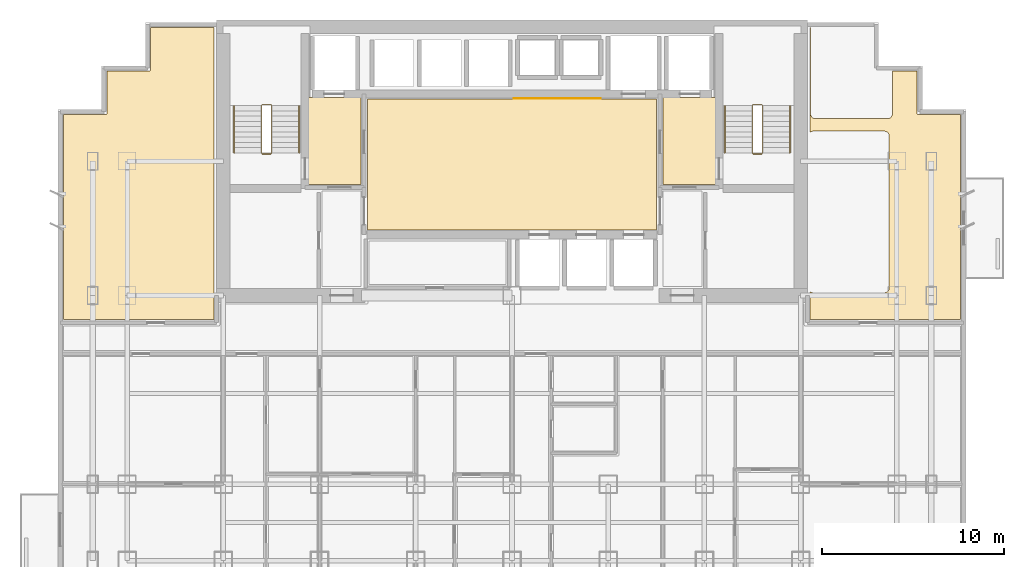
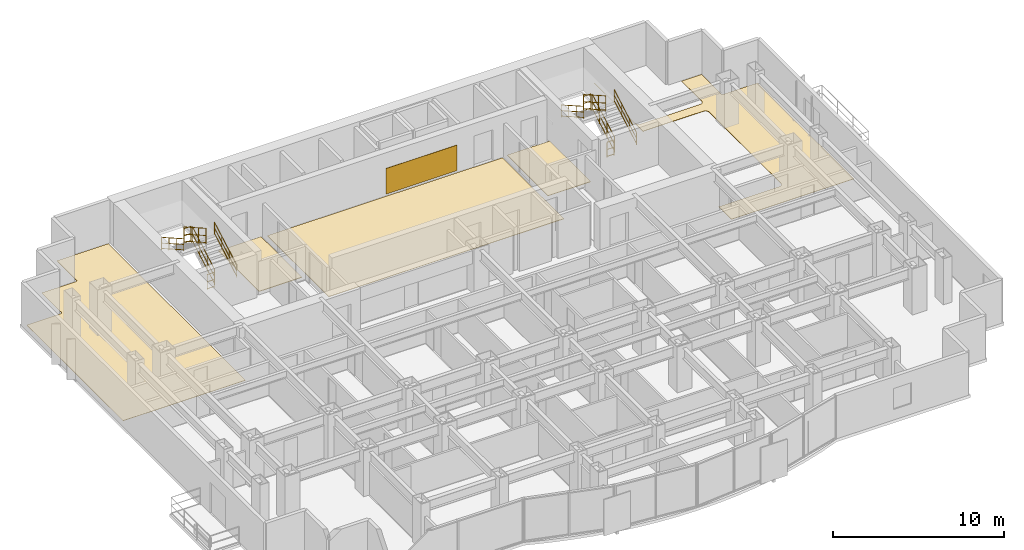
# One storey, part 10 of 10: 12 railings, 6 coverings.
"""IFC4 building model written with IfcOpenShell, lengths in metres."""

from ifc_helpers import new_model, si_unit, direction, frame, origin, origin_2d, place, context, subcontext, project, spatial, polyline, circle, outline, extrude, material, layer, layer_set, type_object, element, save


model = new_model("IFC4")

# Units and contexts
model_context = context("Model", 3, precision=1e-05, world=origin(), true_north=direction((0.0, 1.0)))
body_context = subcontext(model_context, "Body", "Model", "MODEL_VIEW")
ifc_project = project(units=[si_unit("LENGTHUNIT", "METRE"), si_unit("AREAUNIT", "SQUARE_METRE"), si_unit("VOLUMEUNIT", "CUBIC_METRE"), si_unit("PLANEANGLEUNIT", "RADIAN"), si_unit("MASSUNIT", "GRAM", prefix="KILO")], contexts=[model_context])

# Site, building, storey
site_placement = place(None, origin())
site = spatial("IfcSite", under=ifc_project, at=site_placement, CompositionType="ELEMENT")
building_placement = place(site_placement, origin())
building = spatial("IfcBuilding", under=site, at=building_placement, Name="Qianlan Lanfeng Residences", CompositionType="ELEMENT")
storey_placement = place(building_placement, frame((0.0, 0.0, 94.89990234375)))
storey = spatial("IfcBuildingStorey", under=building, at=storey_placement, Name="L25", CompositionType="ELEMENT", Elevation=94.89990234375)

# Coverings
ifc_material_1 = material(Name="Anodised Bronze Feature Wall Cladding")
ifc_layer_1 = layer(ifc_material_1, 0.02490234375)
ifc_layer_set_1 = layer_set([ifc_layer_1], Name="Anodised Bronze Feature Wall Cladding")
covering_type_1 = type_object("IfcCoveringType", Name="CLD-BRZ-25", PredefinedType="CLADDING", material=ifc_layer_set_1)
covering_1_placement = place(storey_placement, frame((0.0, 0.0, 0.150146484375)))
element("IfcCovering", 1, at=covering_1_placement, inside=storey, type_object=covering_type_1, Name="L25 Lift Lobby Bronze Feature Cladding", PredefinedType="CLADDING", context=body_context, shape_type="SweptSolid", body=[
    extrude(outline(polyline([(26.60009765625, 36.050048828125), (31.39990234375, 36.050048828125), (31.39990234375, 36.074951171875), (26.60009765625, 36.074951171875), (26.60009765625, 36.050048828125)])), origin(), (0.0, 0.0, 1.0), 1.829833984375),
])
ifc_material_2 = material(Name="Honed Taitung Granite Stone Flooring", Category="masonry")
ifc_layer_2 = layer(ifc_material_2, 0.030029296875)
ifc_layer_set_2 = layer_set([ifc_layer_2], Name="Honed Taitung Granite Stone Flooring")
covering_type_2 = type_object("IfcCoveringType", Name="FLR-STN-30", PredefinedType="FLOORING", material=ifc_layer_set_2)
covering_2_placement = place(storey_placement, origin())
element("IfcCovering", 2, at=covering_2_placement, inside=storey, type_object=covering_type_2, Name="L25 Firefighting Lift Lobby Floor Finish", PredefinedType="FLOORING", context=body_context, shape_type="SweptSolid", body=[
    extrude(outline(polyline([(15.2900390625, 31.320068359375), (18.179931640625, 31.320068359375), (18.179931640625, 36.110107421875), (15.2900390625, 36.110107421875), (15.2900390625, 31.320068359375)])), origin(), (0.0, 0.0, 1.0), 0.030029296875),
])
covering_3_placement = place(storey_placement, origin())
element("IfcCovering", 3, at=covering_3_placement, inside=storey, type_object=covering_type_2, Name="L25 Firefighting Lift Lobby Floor Finish", PredefinedType="FLOORING", context=body_context, shape_type="SweptSolid", body=[
    extrude(outline(polyline([(34.820068359375, 31.320068359375), (37.7099609375, 31.320068359375), (37.7099609375, 36.110107421875), (34.820068359375, 36.110107421875), (34.820068359375, 31.320068359375)])), origin(), (0.0, 0.0, 1.0), 0.030029296875),
])
covering_4_placement = place(storey_placement, origin())
element("IfcCovering", 4, at=covering_4_placement, inside=storey, type_object=covering_type_2, Name="L25 Lift Lobby Floor Finish", PredefinedType="FLOORING", context=body_context, shape_type="SweptSolid", body=[
    extrude(outline(polyline([(18.550048828125, 28.820068359375), (34.449951171875, 28.820068359375), (34.449951171875, 36.010009765625), (18.550048828125, 36.010009765625), (18.550048828125, 28.820068359375)])), origin(), (0.0, 0.0, 1.0), 0.030029296875),
])
ifc_material_3 = material(Name="Engineered Smoked Oak Timber Flooring", Category="wood")
ifc_layer_3 = layer(ifc_material_3, 0.02197265625)
ifc_layer_set_3 = layer_set([ifc_layer_3], Name="Engineered Smoked Oak Timber Flooring")
covering_type_3 = type_object("IfcCoveringType", Name="FLR-TIM-22", PredefinedType="FLOORING", material=ifc_layer_set_3)
covering_5_placement = place(storey_placement, origin())
element("IfcCovering", 5, at=covering_5_placement, inside=storey, type_object=covering_type_3, Name="L25 Sky Salon Floor Finish", PredefinedType="FLOORING", context=body_context, shape_type="SweptSolid", body=[
    extrude(outline(polyline([(10.074951171875, 23.8701171875), (10.074951171875, 39.9599609375), (6.590087890625, 39.9599609375), (6.590087890625, 37.6298828125), (6.590087890625, 37.623046875), (6.589111328125, 37.615966796875), (6.5869140625, 37.610107421875), (6.5849609375, 37.60302734375), (6.58203125, 37.596923828125), (6.577880859375, 37.591064453125), (6.573974609375, 37.5859375), (6.569091796875, 37.5810546875), (6.56396484375, 37.575927734375), (6.55908203125, 37.572021484375), (6.552978515625, 37.568115234375), (6.547119140625, 37.56494140625), (6.5400390625, 37.56298828125), (6.533935546875, 37.56103515625), (6.527099609375, 37.56005859375), (6.52001953125, 37.56005859375), (4.18994140625, 37.56005859375), (4.18994140625, 35.22998046875), (4.18994140625, 35.222900390625), (4.18896484375, 35.216064453125), (4.18701171875, 35.2099609375), (4.18505859375, 35.202880859375), (4.181884765625, 35.197021484375), (4.177978515625, 35.19091796875), (4.174072265625, 35.18603515625), (4.1689453125, 35.180908203125), (4.1640625, 35.176025390625), (4.158935546875, 35.172119140625), (4.153076171875, 35.16796875), (4.14697265625, 35.1650390625), (4.139892578125, 35.1630859375), (4.134033203125, 35.160888671875), (4.126953125, 35.159912109375), (4.1201171875, 35.159912109375), (1.7900390625, 35.159912109375), (1.7900390625, 23.8701171875), (10.074951171875, 23.8701171875)])), origin(), (0.0, 0.0, 1.0), 0.022216796875),
])
covering_6_placement = place(storey_placement, origin())
element("IfcCovering", 6, at=covering_6_placement, inside=storey, type_object=covering_type_3, Name="L25 Sky Salon Floor Finish", PredefinedType="FLOORING", context=body_context, shape_type="SweptSolid", body=[
    extrude(outline(polyline([(42.925048828125, 23.8701171875), (51.2099609375, 23.8701171875), (51.2099609375, 35.159912109375), (48.8798828125, 35.159912109375), (48.873046875, 35.159912109375), (48.865966796875, 35.160888671875), (48.860107421875, 35.1630859375), (48.85302734375, 35.1650390625), (48.846923828125, 35.16796875), (48.841064453125, 35.172119140625), (48.8359375, 35.176025390625), (48.8310546875, 35.180908203125), (48.825927734375, 35.18603515625), (48.822021484375, 35.19091796875), (48.818115234375, 35.197021484375), (48.81494140625, 35.202880859375), (48.81298828125, 35.2099609375), (48.81103515625, 35.216064453125), (48.81005859375, 35.222900390625), (48.81005859375, 35.22998046875), (48.81005859375, 37.56005859375), (47.449951171875, 37.56005859375), (47.449951171875, 35.199951171875), (47.448974609375, 35.175048828125), (47.445068359375, 35.15087890625), (47.43896484375, 35.126953125), (47.430908203125, 35.10400390625), (47.419921875, 35.08203125), (47.407958984375, 35.06103515625), (47.39306640625, 35.041015625), (47.376953125, 35.02294921875), (47.35888671875, 35.007080078125), (47.339111328125, 34.991943359375), (47.318115234375, 34.97998046875), (47.2958984375, 34.968994140625), (47.27294921875, 34.9609375), (47.2490234375, 34.955078125), (47.22509765625, 34.950927734375), (47.199951171875, 34.949951171875), (43.199951171875, 34.949951171875), (43.175048828125, 34.950927734375), (43.15087890625, 34.955078125), (43.126953125, 34.9609375), (43.10400390625, 34.968994140625), (43.08203125, 34.97998046875), (43.06103515625, 34.991943359375), (43.041015625, 35.007080078125), (43.02294921875, 35.02294921875), (43.007080078125, 35.041015625), (42.991943359375, 35.06103515625), (42.97998046875, 35.08203125), (42.968994140625, 35.10400390625), (42.9609375, 35.126953125), (42.955078125, 35.15087890625), (42.950927734375, 35.175048828125), (42.949951171875, 35.199951171875), (42.949951171875, 39.9599609375), (42.925048828125, 39.9599609375), (42.925048828125, 34.196044921875), (42.94091796875, 34.2080078125), (42.9619140625, 34.219970703125), (42.98388671875, 34.23095703125), (43.007080078125, 34.239013671875), (43.031005859375, 34.2451171875), (43.054931640625, 34.2490234375), (43.080078125, 34.25), (47.02001953125, 34.25), (47.044921875, 34.2490234375), (47.069091796875, 34.2451171875), (47.093017578125, 34.239013671875), (47.115966796875, 34.23095703125), (47.137939453125, 34.219970703125), (47.158935546875, 34.2080078125), (47.178955078125, 34.193115234375), (47.197021484375, 34.177001953125), (47.212890625, 34.158935546875), (47.22802734375, 34.138916015625), (47.239990234375, 34.117919921875), (47.2509765625, 34.095947265625), (47.259033203125, 34.072998046875), (47.264892578125, 34.049072265625), (47.26904296875, 34.02490234375), (47.27001953125, 34.0), (47.27001953125, 25.60009765625), (47.26904296875, 25.574951171875), (47.264892578125, 25.551025390625), (47.259033203125, 25.527099609375), (47.2509765625, 25.50390625), (47.239990234375, 25.48193359375), (47.22802734375, 25.4609375), (47.212890625, 25.44091796875), (47.197021484375, 25.423095703125), (47.178955078125, 25.406982421875), (47.158935546875, 25.39208984375), (47.137939453125, 25.3798828125), (47.115966796875, 25.368896484375), (47.093017578125, 25.361083984375), (47.069091796875, 25.35498046875), (47.044921875, 25.35107421875), (47.02001953125, 25.35009765625), (43.080078125, 25.35009765625), (43.054931640625, 25.35107421875), (43.031005859375, 25.35498046875), (43.007080078125, 25.361083984375), (42.98388671875, 25.368896484375), (42.9619140625, 25.3798828125), (42.94091796875, 25.39208984375), (42.925048828125, 25.404052734375), (42.925048828125, 23.8701171875)])), origin(), (0.0, 0.0, 1.0), 0.022216796875),
])

# Railings
ifc_material_4 = material(Name="Painted Galvanised Steel Guardrail", Category="steel")
railing_type_1 = type_object("IfcRailingType", Name="GR-ST-1120", PredefinedType="GUARDRAIL", material=ifc_material_4)
railing_1_placement = place(storey_placement, frame((13.27001953125, 33.050048828125, 0.1650390625)))
element("IfcRailing", 7, at=railing_1_placement, inside=storey, type_object=railing_type_1, Name="L25 ST-1 stair guard 1", PredefinedType="GUARDRAIL", context=body_context, shape_type="SweptSolid", body=[
    extrude(circle(Radius=0.02392578125, at=origin_2d()), frame((0.0, 0.0, 0.083984375), z_axis=(0.0, 0.869137319866, 0.494570843475), x_axis=(-1.0, 0.0, 0.0)), (0.0, 0.0, 1.0), 3.0029296875),
    extrude(circle(Radius=0.02392578125, at=origin_2d()), frame((0.0, 0.0, 0.58251953125), z_axis=(0.0, 0.869137319866, 0.494570843475), x_axis=(-1.0, 0.0, 0.0)), (0.0, 0.0, 1.0), 3.0029296875),
    extrude(circle(Radius=0.02392578125, at=origin_2d()), frame((0.0, 0.0, 1.09619140625), z_axis=(0.0, 0.869137319866, 0.494570843475), x_axis=(-1.0, 0.0, 0.0)), (0.0, 0.0, 1.0), 3.0029296875),
    extrude(circle(Radius=0.02099609375, at=origin_2d()), origin(), (0.0, 0.0, 1.0), 1.072021484375),
    extrude(circle(Radius=0.02099609375, at=origin_2d()), frame((0.0, 0.869873046875, 0.4951171875)), (0.0, 0.0, 1.0), 1.072021484375),
    extrude(circle(Radius=0.02099609375, at=origin_2d()), frame((0.0, 1.739990234375, 0.989990234375)), (0.0, 0.0, 1.0), 1.072021484375),
    extrude(circle(Radius=0.02099609375, at=origin_2d()), frame((0.0, 2.60986328125, 1.485107421875)), (0.0, 0.0, 1.0), 1.072021484375),
])
railing_2_placement = place(storey_placement, frame((13.219970703125, 35.7099609375, 1.650146484375)))
element("IfcRailing", 8, at=railing_2_placement, inside=storey, type_object=railing_type_1, Name="L25 ST-1 stair guard 2", PredefinedType="GUARDRAIL", context=body_context, shape_type="SweptSolid", body=[
    extrude(circle(Radius=0.02392578125, at=origin_2d()), frame((0.0, 0.0, 0.083984375), z_axis=(-1.0, 0.0, 0.0), x_axis=(0.0, -1.0, 0.0)), (0.0, 0.0, 1.0), 0.47998046875),
    extrude(circle(Radius=0.02392578125, at=origin_2d()), frame((0.0, 0.0, 0.58251953125), z_axis=(-1.0, 0.0, 0.0), x_axis=(0.0, -1.0, 0.0)), (0.0, 0.0, 1.0), 0.47998046875),
    extrude(circle(Radius=0.02392578125, at=origin_2d()), frame((0.0, 0.0, 1.09619140625), z_axis=(-1.0, 0.0, 0.0), x_axis=(0.0, -1.0, 0.0)), (0.0, 0.0, 1.0), 0.47998046875),
    extrude(circle(Radius=0.02099609375, at=origin_2d()), origin(), (0.0, 0.0, 1.0), 1.072021484375),
    extrude(circle(Radius=0.02099609375, at=origin_2d()), frame((-0.47998046875, 0.0, 0.0)), (0.0, 0.0, 1.0), 1.072021484375),
])
railing_3_placement = place(storey_placement, frame((12.68994140625, 35.659912109375, 1.815185546875)))
element("IfcRailing", 9, at=railing_3_placement, inside=storey, type_object=railing_type_1, Name="L25 ST-1 stair guard 3", PredefinedType="GUARDRAIL", context=body_context, shape_type="SweptSolid", body=[
    extrude(circle(Radius=0.02392578125, at=origin_2d()), frame((0.0, 0.0, 0.083984375), z_axis=(0.0, -0.869172267526, 0.494509422927), x_axis=(1.0, 0.0, 0.0)), (0.0, 0.0, 1.0), 3.002685546875),
    extrude(circle(Radius=0.02392578125, at=origin_2d()), frame((0.0, 0.0, 0.58251953125), z_axis=(0.0, -0.869172267526, 0.494509422927), x_axis=(1.0, 0.0, 0.0)), (0.0, 0.0, 1.0), 3.002685546875),
    extrude(circle(Radius=0.02392578125, at=origin_2d()), frame((0.0, 0.0, 1.09619140625), z_axis=(0.0, -0.869172267526, 0.494509422927), x_axis=(1.0, 0.0, 0.0)), (0.0, 0.0, 1.0), 3.002685546875),
    extrude(circle(Radius=0.02099609375, at=origin_2d()), origin(), (0.0, 0.0, 1.0), 1.072021484375),
    extrude(circle(Radius=0.02099609375, at=origin_2d()), frame((0.0, -0.869873046875, 0.494873046875)), (0.0, 0.0, 1.0), 1.072021484375),
    extrude(circle(Radius=0.02099609375, at=origin_2d()), frame((0.0, -1.739990234375, 0.989990234375)), (0.0, 0.0, 1.0), 1.072021484375),
    extrude(circle(Radius=0.02099609375, at=origin_2d()), frame((0.0, -2.60986328125, 1.48486328125)), (0.0, 0.0, 1.0), 1.072021484375),
])
railing_4_placement = place(storey_placement, frame((13.219970703125, 33.0, 0.0)))
element("IfcRailing", 10, at=railing_4_placement, inside=storey, type_object=railing_type_1, Name="L25 ST-1 stair guard 4", PredefinedType="GUARDRAIL", context=body_context, shape_type="SweptSolid", body=[
    extrude(circle(Radius=0.02392578125, at=origin_2d()), frame((0.0, 0.0, 0.083984375), z_axis=(-1.0, 0.0, 0.0), x_axis=(0.0, -1.0, 0.0)), (0.0, 0.0, 1.0), 0.47998046875),
    extrude(circle(Radius=0.02392578125, at=origin_2d()), frame((0.0, 0.0, 0.58251953125), z_axis=(-1.0, 0.0, 0.0), x_axis=(0.0, -1.0, 0.0)), (0.0, 0.0, 1.0), 0.47998046875),
    extrude(circle(Radius=0.02392578125, at=origin_2d()), frame((0.0, 0.0, 1.09619140625), z_axis=(-1.0, 0.0, 0.0), x_axis=(0.0, -1.0, 0.0)), (0.0, 0.0, 1.0), 0.47998046875),
    extrude(circle(Radius=0.02099609375, at=origin_2d()), origin(), (0.0, 0.0, 1.0), 1.072021484375),
    extrude(circle(Radius=0.02099609375, at=origin_2d()), frame((-0.47998046875, 0.0, 0.0)), (0.0, 0.0, 1.0), 1.072021484375),
])
railing_5_placement = place(storey_placement, frame((40.31005859375, 33.050048828125, 0.1650390625)))
element("IfcRailing", 11, at=railing_5_placement, inside=storey, type_object=railing_type_1, Name="L25 ST-2 stair guard 1", PredefinedType="GUARDRAIL", context=body_context, shape_type="SweptSolid", body=[
    extrude(circle(Radius=0.02392578125, at=origin_2d()), frame((0.0, 0.0, 0.083984375), z_axis=(0.0, 0.869137319866, 0.494570843475), x_axis=(-1.0, 0.0, 0.0)), (0.0, 0.0, 1.0), 3.0029296875),
    extrude(circle(Radius=0.02392578125, at=origin_2d()), frame((0.0, 0.0, 0.58251953125), z_axis=(0.0, 0.869137319866, 0.494570843475), x_axis=(-1.0, 0.0, 0.0)), (0.0, 0.0, 1.0), 3.0029296875),
    extrude(circle(Radius=0.02392578125, at=origin_2d()), frame((0.0, 0.0, 1.09619140625), z_axis=(0.0, 0.869137319866, 0.494570843475), x_axis=(-1.0, 0.0, 0.0)), (0.0, 0.0, 1.0), 3.0029296875),
    extrude(circle(Radius=0.02099609375, at=origin_2d()), origin(), (0.0, 0.0, 1.0), 1.072021484375),
    extrude(circle(Radius=0.02099609375, at=origin_2d()), frame((0.0, 0.869873046875, 0.4951171875)), (0.0, 0.0, 1.0), 1.072021484375),
    extrude(circle(Radius=0.02099609375, at=origin_2d()), frame((0.0, 1.739990234375, 0.989990234375)), (0.0, 0.0, 1.0), 1.072021484375),
    extrude(circle(Radius=0.02099609375, at=origin_2d()), frame((0.0, 2.60986328125, 1.485107421875)), (0.0, 0.0, 1.0), 1.072021484375),
])
railing_6_placement = place(storey_placement, frame((40.260009765625, 35.7099609375, 1.650146484375)))
element("IfcRailing", 12, at=railing_6_placement, inside=storey, type_object=railing_type_1, Name="L25 ST-2 stair guard 2", PredefinedType="GUARDRAIL", context=body_context, shape_type="SweptSolid", body=[
    extrude(circle(Radius=0.02392578125, at=origin_2d()), frame((0.0, 0.0, 0.083984375), z_axis=(-1.0, 0.0, 0.0), x_axis=(0.0, -1.0, 0.0)), (0.0, 0.0, 1.0), 0.47998046875),
    extrude(circle(Radius=0.02392578125, at=origin_2d()), frame((0.0, 0.0, 0.58251953125), z_axis=(-1.0, 0.0, 0.0), x_axis=(0.0, -1.0, 0.0)), (0.0, 0.0, 1.0), 0.47998046875),
    extrude(circle(Radius=0.02392578125, at=origin_2d()), frame((0.0, 0.0, 1.09619140625), z_axis=(-1.0, 0.0, 0.0), x_axis=(0.0, -1.0, 0.0)), (0.0, 0.0, 1.0), 0.47998046875),
    extrude(circle(Radius=0.02099609375, at=origin_2d()), origin(), (0.0, 0.0, 1.0), 1.072021484375),
    extrude(circle(Radius=0.02099609375, at=origin_2d()), frame((-0.47998046875, 0.0, 0.0)), (0.0, 0.0, 1.0), 1.072021484375),
])
railing_7_placement = place(storey_placement, frame((39.72998046875, 35.659912109375, 1.815185546875)))
element("IfcRailing", 13, at=railing_7_placement, inside=storey, type_object=railing_type_1, Name="L25 ST-2 stair guard 3", PredefinedType="GUARDRAIL", context=body_context, shape_type="SweptSolid", body=[
    extrude(circle(Radius=0.02392578125, at=origin_2d()), frame((0.0, 0.0, 0.083984375), z_axis=(0.0, -0.869172267526, 0.494509422927), x_axis=(1.0, 0.0, 0.0)), (0.0, 0.0, 1.0), 3.002685546875),
    extrude(circle(Radius=0.02392578125, at=origin_2d()), frame((0.0, 0.0, 0.58251953125), z_axis=(0.0, -0.869172267526, 0.494509422927), x_axis=(1.0, 0.0, 0.0)), (0.0, 0.0, 1.0), 3.002685546875),
    extrude(circle(Radius=0.02392578125, at=origin_2d()), frame((0.0, 0.0, 1.09619140625), z_axis=(0.0, -0.869172267526, 0.494509422927), x_axis=(1.0, 0.0, 0.0)), (0.0, 0.0, 1.0), 3.002685546875),
    extrude(circle(Radius=0.02099609375, at=origin_2d()), origin(), (0.0, 0.0, 1.0), 1.072021484375),
    extrude(circle(Radius=0.02099609375, at=origin_2d()), frame((0.0, -0.869873046875, 0.494873046875)), (0.0, 0.0, 1.0), 1.072021484375),
    extrude(circle(Radius=0.02099609375, at=origin_2d()), frame((0.0, -1.739990234375, 0.989990234375)), (0.0, 0.0, 1.0), 1.072021484375),
    extrude(circle(Radius=0.02099609375, at=origin_2d()), frame((0.0, -2.60986328125, 1.48486328125)), (0.0, 0.0, 1.0), 1.072021484375),
])
railing_8_placement = place(storey_placement, frame((40.260009765625, 33.0, 0.0)))
element("IfcRailing", 14, at=railing_8_placement, inside=storey, type_object=railing_type_1, Name="L25 ST-2 stair guard 4", PredefinedType="GUARDRAIL", context=body_context, shape_type="SweptSolid", body=[
    extrude(circle(Radius=0.02392578125, at=origin_2d()), frame((0.0, 0.0, 0.083984375), z_axis=(-1.0, 0.0, 0.0), x_axis=(0.0, -1.0, 0.0)), (0.0, 0.0, 1.0), 0.47998046875),
    extrude(circle(Radius=0.02392578125, at=origin_2d()), frame((0.0, 0.0, 0.58251953125), z_axis=(-1.0, 0.0, 0.0), x_axis=(0.0, -1.0, 0.0)), (0.0, 0.0, 1.0), 0.47998046875),
    extrude(circle(Radius=0.02392578125, at=origin_2d()), frame((0.0, 0.0, 1.09619140625), z_axis=(-1.0, 0.0, 0.0), x_axis=(0.0, -1.0, 0.0)), (0.0, 0.0, 1.0), 0.47998046875),
    extrude(circle(Radius=0.02099609375, at=origin_2d()), origin(), (0.0, 0.0, 1.0), 1.072021484375),
    extrude(circle(Radius=0.02099609375, at=origin_2d()), frame((-0.47998046875, 0.0, 0.0)), (0.0, 0.0, 1.0), 1.072021484375),
])
ifc_material_5 = material(Name="Brushed Stainless Steel Handrail", Category="steel")
railing_type_2 = type_object("IfcRailingType", Name="HR-ST-920", PredefinedType="HANDRAIL", material=ifc_material_5)
railing_9_placement = place(storey_placement, frame((14.77001953125, 33.050048828125, 0.1650390625)))
element("IfcRailing", 15, at=railing_9_placement, inside=storey, type_object=railing_type_2, Name="L25 ST-1 stair handrail 1", PredefinedType="HANDRAIL", context=body_context, shape_type="SweptSolid", body=[
    extrude(circle(Radius=0.02392578125, at=origin_2d()), frame((0.0, 0.0, 0.083984375), z_axis=(0.0, 0.869137319866, 0.494570843475), x_axis=(-1.0, 0.0, 0.0)), (0.0, 0.0, 1.0), 3.0029296875),
    extrude(circle(Radius=0.02392578125, at=origin_2d()), frame((0.0, 0.0, 0.468017578125), z_axis=(0.0, 0.869137319866, 0.494570843475), x_axis=(-1.0, 0.0, 0.0)), (0.0, 0.0, 1.0), 3.0029296875),
    extrude(circle(Radius=0.02392578125, at=origin_2d()), frame((0.0, 0.0, 0.8759765625), z_axis=(0.0, 0.869137319866, 0.494570843475), x_axis=(-1.0, 0.0, 0.0)), (0.0, 0.0, 1.0), 3.0029296875),
    extrude(circle(Radius=0.02099609375, at=origin_2d()), origin(), (0.0, 0.0, 1.0), 0.851806640625),
    extrude(circle(Radius=0.02099609375, at=origin_2d()), frame((0.0, 0.869873046875, 0.4951171875)), (0.0, 0.0, 1.0), 0.851806640625),
    extrude(circle(Radius=0.02099609375, at=origin_2d()), frame((0.0, 1.739990234375, 0.989990234375)), (0.0, 0.0, 1.0), 0.851806640625),
    extrude(circle(Radius=0.02099609375, at=origin_2d()), frame((0.0, 2.60986328125, 1.485107421875)), (0.0, 0.0, 1.0), 0.851806640625),
])
railing_10_placement = place(storey_placement, frame((11.18994140625, 35.659912109375, 1.815185546875)))
element("IfcRailing", 16, at=railing_10_placement, inside=storey, type_object=railing_type_2, Name="L25 ST-1 stair handrail 2", PredefinedType="HANDRAIL", context=body_context, shape_type="SweptSolid", body=[
    extrude(circle(Radius=0.02392578125, at=origin_2d()), frame((0.0, 0.0, 0.083984375), z_axis=(0.0, -0.869172267526, 0.494509422927), x_axis=(1.0, 0.0, 0.0)), (0.0, 0.0, 1.0), 3.002685546875),
    extrude(circle(Radius=0.02392578125, at=origin_2d()), frame((0.0, 0.0, 0.468017578125), z_axis=(0.0, -0.869172267526, 0.494509422927), x_axis=(1.0, 0.0, 0.0)), (0.0, 0.0, 1.0), 3.002685546875),
    extrude(circle(Radius=0.02392578125, at=origin_2d()), frame((0.0, 0.0, 0.8759765625), z_axis=(0.0, -0.869172267526, 0.494509422927), x_axis=(1.0, 0.0, 0.0)), (0.0, 0.0, 1.0), 3.002685546875),
    extrude(circle(Radius=0.02099609375, at=origin_2d()), origin(), (0.0, 0.0, 1.0), 0.851806640625),
    extrude(circle(Radius=0.02099609375, at=origin_2d()), frame((0.0, -0.869873046875, 0.494873046875)), (0.0, 0.0, 1.0), 0.851806640625),
    extrude(circle(Radius=0.02099609375, at=origin_2d()), frame((0.0, -1.739990234375, 0.989990234375)), (0.0, 0.0, 1.0), 0.851806640625),
    extrude(circle(Radius=0.02099609375, at=origin_2d()), frame((0.0, -2.60986328125, 1.48486328125)), (0.0, 0.0, 1.0), 0.851806640625),
])
railing_11_placement = place(storey_placement, frame((41.81005859375, 33.050048828125, 0.1650390625)))
element("IfcRailing", 17, at=railing_11_placement, inside=storey, type_object=railing_type_2, Name="L25 ST-2 stair handrail 1", PredefinedType="HANDRAIL", context=body_context, shape_type="SweptSolid", body=[
    extrude(circle(Radius=0.02392578125, at=origin_2d()), frame((0.0, 0.0, 0.083984375), z_axis=(0.0, 0.869137319866, 0.494570843475), x_axis=(-1.0, 0.0, 0.0)), (0.0, 0.0, 1.0), 3.0029296875),
    extrude(circle(Radius=0.02392578125, at=origin_2d()), frame((0.0, 0.0, 0.468017578125), z_axis=(0.0, 0.869137319866, 0.494570843475), x_axis=(-1.0, 0.0, 0.0)), (0.0, 0.0, 1.0), 3.0029296875),
    extrude(circle(Radius=0.02392578125, at=origin_2d()), frame((0.0, 0.0, 0.8759765625), z_axis=(0.0, 0.869137319866, 0.494570843475), x_axis=(-1.0, 0.0, 0.0)), (0.0, 0.0, 1.0), 3.0029296875),
    extrude(circle(Radius=0.02099609375, at=origin_2d()), origin(), (0.0, 0.0, 1.0), 0.851806640625),
    extrude(circle(Radius=0.02099609375, at=origin_2d()), frame((0.0, 0.869873046875, 0.4951171875)), (0.0, 0.0, 1.0), 0.851806640625),
    extrude(circle(Radius=0.02099609375, at=origin_2d()), frame((0.0, 1.739990234375, 0.989990234375)), (0.0, 0.0, 1.0), 0.851806640625),
    extrude(circle(Radius=0.02099609375, at=origin_2d()), frame((0.0, 2.60986328125, 1.485107421875)), (0.0, 0.0, 1.0), 0.851806640625),
])
railing_12_placement = place(storey_placement, frame((38.22998046875, 35.659912109375, 1.815185546875)))
element("IfcRailing", 18, at=railing_12_placement, inside=storey, type_object=railing_type_2, Name="L25 ST-2 stair handrail 2", PredefinedType="HANDRAIL", context=body_context, shape_type="SweptSolid", body=[
    extrude(circle(Radius=0.02392578125, at=origin_2d()), frame((0.0, 0.0, 0.083984375), z_axis=(0.0, -0.869172267526, 0.494509422927), x_axis=(1.0, 0.0, 0.0)), (0.0, 0.0, 1.0), 3.002685546875),
    extrude(circle(Radius=0.02392578125, at=origin_2d()), frame((0.0, 0.0, 0.468017578125), z_axis=(0.0, -0.869172267526, 0.494509422927), x_axis=(1.0, 0.0, 0.0)), (0.0, 0.0, 1.0), 3.002685546875),
    extrude(circle(Radius=0.02392578125, at=origin_2d()), frame((0.0, 0.0, 0.8759765625), z_axis=(0.0, -0.869172267526, 0.494509422927), x_axis=(1.0, 0.0, 0.0)), (0.0, 0.0, 1.0), 3.002685546875),
    extrude(circle(Radius=0.02099609375, at=origin_2d()), origin(), (0.0, 0.0, 1.0), 0.851806640625),
    extrude(circle(Radius=0.02099609375, at=origin_2d()), frame((0.0, -0.869873046875, 0.494873046875)), (0.0, 0.0, 1.0), 0.851806640625),
    extrude(circle(Radius=0.02099609375, at=origin_2d()), frame((0.0, -1.739990234375, 0.989990234375)), (0.0, 0.0, 1.0), 0.851806640625),
    extrude(circle(Radius=0.02099609375, at=origin_2d()), frame((0.0, -2.60986328125, 1.48486328125)), (0.0, 0.0, 1.0), 0.851806640625),
])

save(model, "model.ifc")
